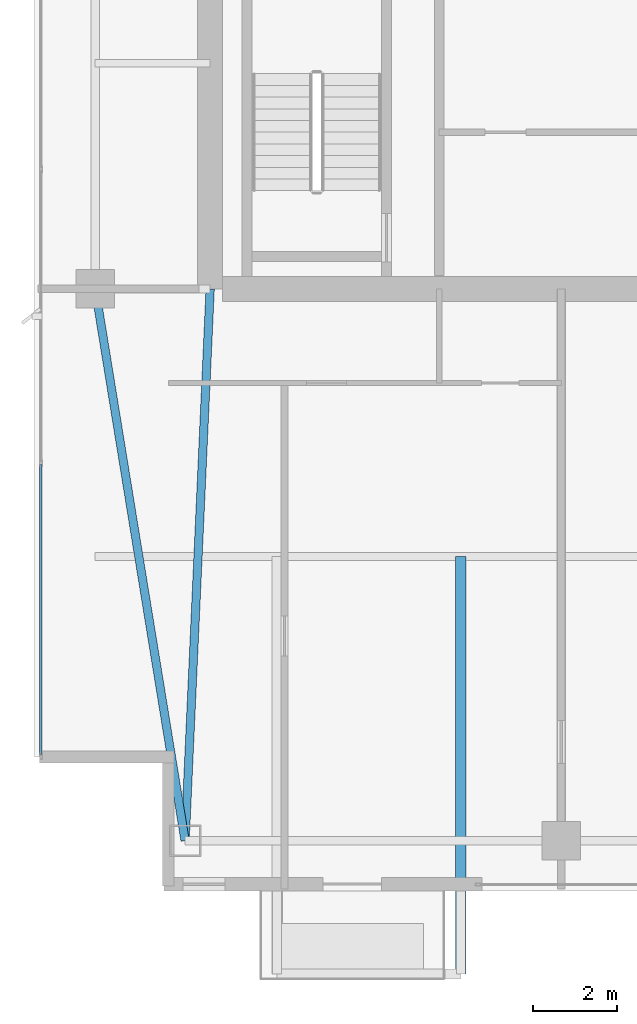
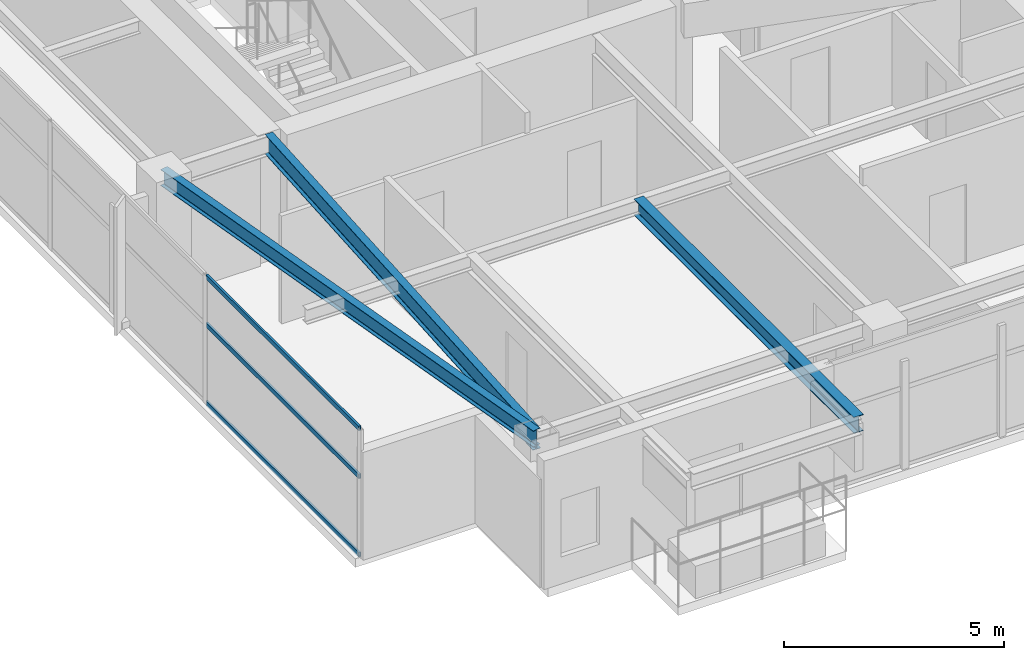
# One storey, part 4 of 27: 3 beams, 3 members, 1 element without a shape of its own.
"""IFC4 building model written with IfcOpenShell, lengths in metres."""

from ifc_helpers import new_model, si_unit, direction, frame, origin, origin_2d, place, context, subcontext, project, spatial, hollow_rectangle, i_section, extrude, material, layer, layer_set, material_profile, profile_set, type_object, element, aggregate, save


model = new_model("IFC4")

# Units and contexts
model_context = context("Model", 3, precision=1e-05, world=origin(), true_north=direction((0.0, 1.0)))
body_context = subcontext(model_context, "Body", "Model", "MODEL_VIEW")
ifc_project = project(units=[si_unit("LENGTHUNIT", "METRE"), si_unit("AREAUNIT", "SQUARE_METRE"), si_unit("VOLUMEUNIT", "CUBIC_METRE"), si_unit("PLANEANGLEUNIT", "RADIAN"), si_unit("MASSUNIT", "GRAM", prefix="KILO")], contexts=[model_context])

# Site, building, storey
site_placement = place(None, origin())
site = spatial("IfcSite", under=ifc_project, at=site_placement, CompositionType="ELEMENT")
building_placement = place(site_placement, origin())
building = spatial("IfcBuilding", under=site, at=building_placement, Name="Calvorn Quay Hotel", CompositionType="ELEMENT")
storey_placement = place(building_placement, frame((0.0, 0.0, 291.10009765625)))
storey = spatial("IfcBuildingStorey", under=building, at=storey_placement, Name="L72", CompositionType="ELEMENT", Elevation=291.10009765625)

# Beams
ifc_material_1 = material(Name="Steel Q355B", Category="steel")
ifc_material_profile_1 = material_profile(ifc_material_1, i_section(OverallWidth=0.25, OverallDepth=0.449951171875, WebThickness=0.011962890625, FlangeThickness=0.01611328125, FilletRadius=0.01611328125, at=origin_2d()), Name="HN450x250x12x16")
ifc_profile_set_1 = profile_set([ifc_material_profile_1], Name="Steel Q355B")
beam_type_1 = type_object("IfcBeamType", Name="BM-CANT-BALC", PredefinedType="BEAM", material=ifc_profile_set_1)
beam_1_placement = place(storey_placement, frame((10.199951171875, 10.39990234375, 3.31494140625), z_axis=(0.0, -1.0, 0.0), x_axis=(1.0, 0.0, 0.0)))
element("IfcBeam", 1, at=beam_1_placement, inside=storey, type_object=beam_type_1, Name="Cantilever Balcony Beam BCB-L73-2B", PredefinedType="BEAM", context=body_context, shape_type="SweptSolid", body=[
    extrude(i_section(OverallWidth=0.25, OverallDepth=0.449951171875, WebThickness=0.011962890625, FlangeThickness=0.01611328125, FilletRadius=0.01611328125, at=origin_2d()), origin(), (0.0, 0.0, 1.0), 9.989990234375),
])
ifc_material_2 = material(Name="Steel Q355B", Category="steel")
ifc_material_profile_2 = material_profile(ifc_material_2, i_section(OverallWidth=0.199951171875, OverallDepth=0.550048828125, WebThickness=0.010009765625, FlangeThickness=0.01611328125, FilletRadius=0.01806640625, at=origin_2d()), Name="HN550x200x10x16")
ifc_profile_set_2 = profile_set([ifc_material_profile_2], Name="Steel Q355B")
beam_type_2 = type_object("IfcBeamType", Name="BM-GIRD-UPP", PredefinedType="BEAM", material=ifc_profile_set_2)
beam_2_placement = place(storey_placement, frame((3.60009765625, 3.60009765625, 3.264892578125), z_axis=(0.045396765494, 0.998969035397, 0.0), x_axis=(-0.998969035397, 0.045396765494, 0.0)))
element("IfcBeam", 2, at=beam_2_placement, inside=storey, type_object=beam_type_2, Name="Beam BG-L72-W0", PredefinedType="BEAM", context=body_context, shape_type="SweptSolid", body=[
    extrude(i_section(OverallWidth=0.199951171875, OverallDepth=0.550048828125, WebThickness=0.010009765625, FlangeThickness=0.01611328125, FilletRadius=0.01806640625, at=origin_2d()), origin(), (0.0, 0.0, 1.0), 13.213623046875),
])
ifc_material_3 = material(Name="Steel Q355B", Category="steel")
ifc_material_profile_3 = material_profile(ifc_material_3, i_section(OverallWidth=0.199951171875, OverallDepth=0.449951171875, WebThickness=0.009033203125, FlangeThickness=0.013916015625, FilletRadius=0.01611328125, at=origin_2d()), Name="HN450x200x9x14")
ifc_profile_set_3 = profile_set([ifc_material_profile_3], Name="Steel Q355B")
beam_type_3 = type_object("IfcBeamType", Name="BM-SPANDREL-Z3", PredefinedType="SPANDREL", material=ifc_profile_set_3)
beam_3_placement = place(storey_placement, frame((3.60009765625, 3.60009765625, 3.31494140625), z_axis=(-0.16077155054, 0.986991645627, 0.0), x_axis=(-0.986991645627, -0.16077155054, 0.0)))
element("IfcBeam", 3, at=beam_3_placement, inside=storey, type_object=beam_type_3, Name="Beam BSP-L72-W1", PredefinedType="SPANDREL", context=body_context, shape_type="SweptSolid", body=[
    extrude(i_section(OverallWidth=0.199951171875, OverallDepth=0.449951171875, WebThickness=0.009033203125, FlangeThickness=0.013916015625, FilletRadius=0.01611328125, at=origin_2d()), origin(), (0.0, 0.0, 1.0), 13.3740234375),
])

# Curtain wall, members
ifc_material_4 = material(Name="Champagne Bronze Anodised Aluminium and Low-E Glass", Category="aluminium")
ifc_layer = layer(ifc_material_4, 0.219970703125)
ifc_layer_set = layer_set([ifc_layer], Name="CW-SYS-Z4")
curtain_wall_type = type_object("IfcCurtainWallType", Name="CW-SYS-Z4", PredefinedType="NOTDEFINED", material=ifc_layer_set)
curtain_wall_placement = place(storey_placement, origin())
curtain_wall = element("IfcCurtainWall", 4, at=curtain_wall_placement, inside=storey, type_object=curtain_wall_type, Name="Tower West Curtain Wall (L72)", PredefinedType="NOTDEFINED")
ifc_material_5 = material(Name="Champagne Bronze Anodised Aluminium 6063-T6", Category="aluminium")
ifc_material_profile_4 = material_profile(ifc_material_5, hollow_rectangle(XDim=0.054931640625, YDim=0.1298828125, WallThickness=0.003173828125, at=origin_2d()), Name="ALU-T130x55x3.2")
ifc_profile_set_4 = profile_set([ifc_material_profile_4], Name="Champagne Bronze Anodised Aluminium 6063-T6")
member_type = type_object("IfcMemberType", Name="CW-SYS-Z4-TRN", PredefinedType="USERDEFINED", material=ifc_profile_set_4)
member_1_placement = place(storey_placement, frame((0.14990234375, 5.659912109375, 0.02978515625), z_axis=(0.0, 1.0, 0.0), x_axis=(-1.0, 0.0, 0.0)))
member_1 = element("IfcMember", 5, at=member_1_placement, type_object=member_type, Name="CW-L72-W transom 1.1", ObjectType="TRANSOM", PredefinedType="USERDEFINED", context=body_context, shape_type="SweptSolid", body=[
    extrude(hollow_rectangle(XDim=0.054931640625, YDim=0.1298828125, WallThickness=0.003173828125, at=origin_2d()), origin(), (0.0, 0.0, 1.0), 6.943359375),
])
member_2_placement = place(storey_placement, frame((0.14990234375, 5.659912109375, 2.199951171875), z_axis=(0.0, 1.0, 0.0), x_axis=(-1.0, 0.0, 0.0)))
member_2 = element("IfcMember", 6, at=member_2_placement, type_object=member_type, Name="CW-L72-W transom 1.2", ObjectType="TRANSOM", PredefinedType="USERDEFINED", context=body_context, shape_type="SweptSolid", body=[
    extrude(hollow_rectangle(XDim=0.054931640625, YDim=0.1298828125, WallThickness=0.003173828125, at=origin_2d()), origin(), (0.0, 0.0, 1.0), 6.943359375),
])
member_3_placement = place(storey_placement, frame((0.14990234375, 5.659912109375, 3.52978515625), z_axis=(0.0, 1.0, 0.0), x_axis=(-1.0, 0.0, 0.0)))
member_3 = element("IfcMember", 7, at=member_3_placement, type_object=member_type, Name="CW-L72-W transom 1.3", ObjectType="TRANSOM", PredefinedType="USERDEFINED", context=body_context, shape_type="SweptSolid", body=[
    extrude(hollow_rectangle(XDim=0.054931640625, YDim=0.1298828125, WallThickness=0.003173828125, at=origin_2d()), origin(), (0.0, 0.0, 1.0), 6.943359375),
])
aggregate(curtain_wall, [member_1, member_2, member_3])

save(model, "model.ifc")
